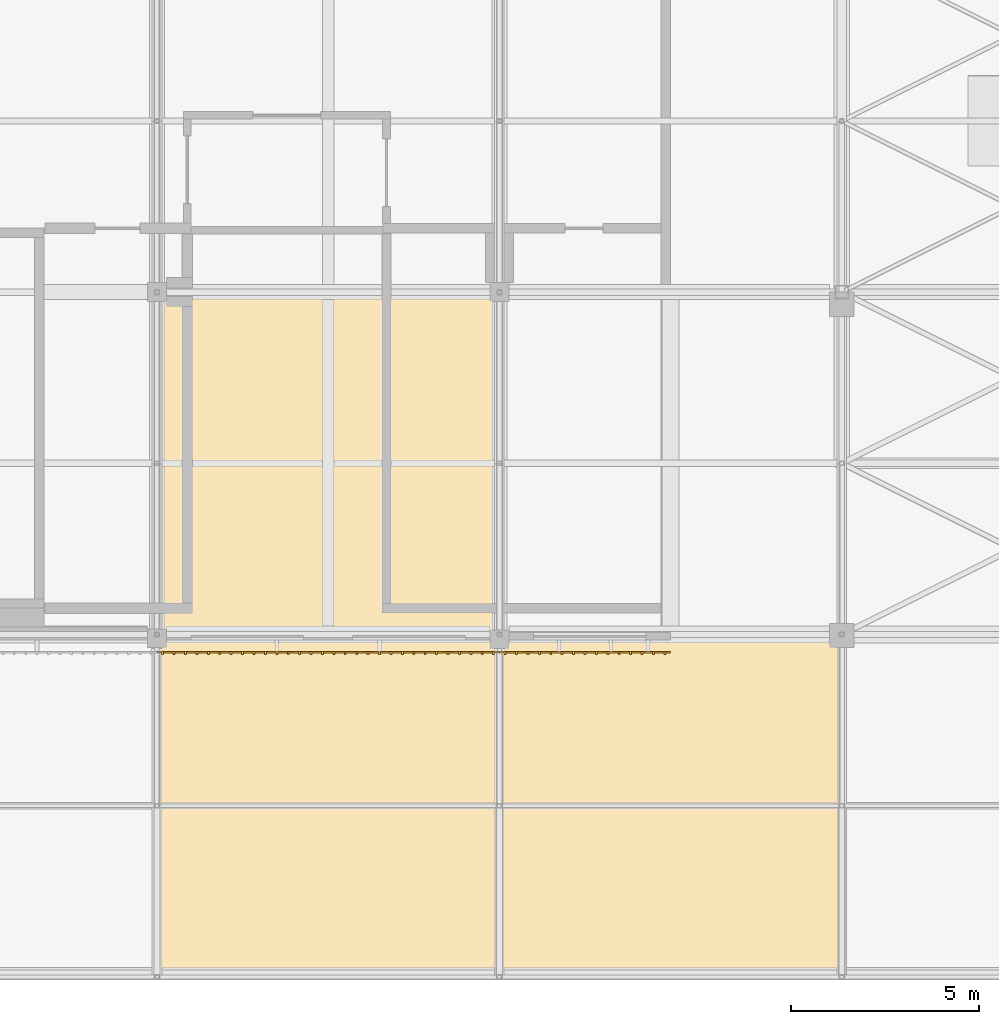
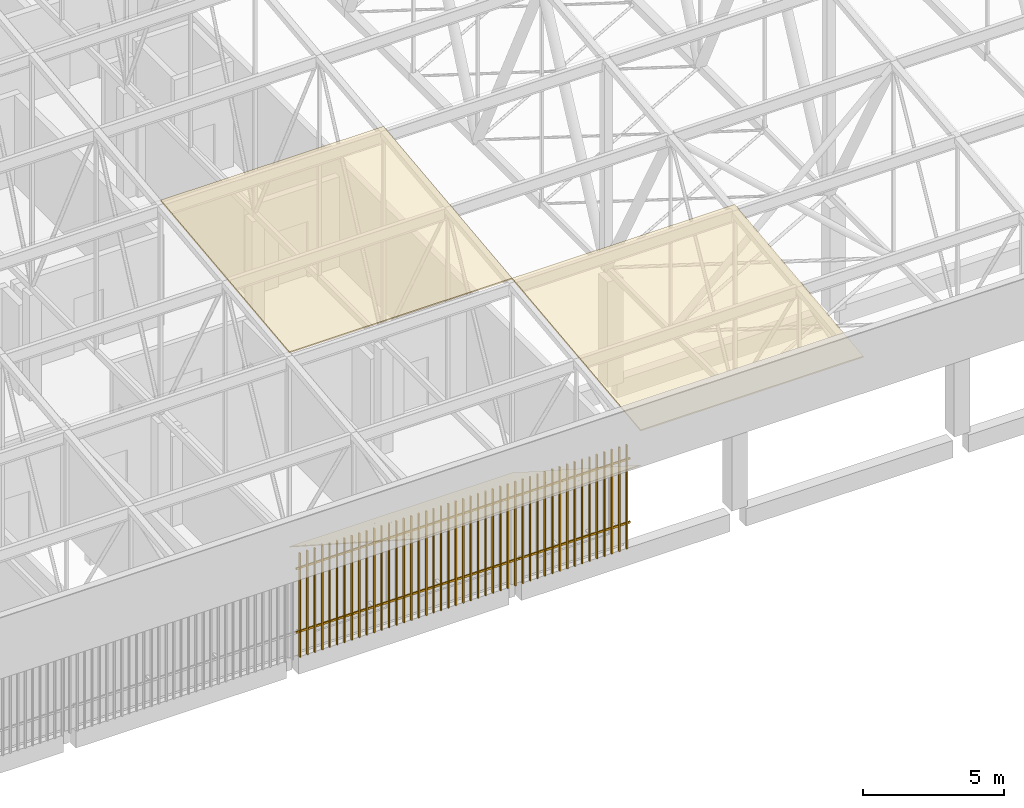
# One storey, part 460 of 500: 3 coverings, 2 shading devices.
"""IFC4 building model written with IfcOpenShell, lengths in metres."""

from ifc_helpers import new_model, si_unit, direction, frame, origin, origin_2d, place, context, subcontext, project, spatial, polyline, rectangle, outline, extrude, material, layer, layer_set, type_object, element, save


model = new_model("IFC4")

# Units and contexts
model_context = context("Model", 3, precision=1e-05, world=origin(), true_north=direction((0.0, 1.0)))
body_context = subcontext(model_context, "Body", "Model", "MODEL_VIEW")
ifc_project = project(units=[si_unit("LENGTHUNIT", "METRE"), si_unit("AREAUNIT", "SQUARE_METRE"), si_unit("VOLUMEUNIT", "CUBIC_METRE"), si_unit("PLANEANGLEUNIT", "RADIAN"), si_unit("MASSUNIT", "GRAM", prefix="KILO")], contexts=[model_context])

# Site, building, storey
site_placement = place(None, origin())
site = spatial("IfcSite", under=ifc_project, at=site_placement, CompositionType="ELEMENT")
building_placement = place(site_placement, origin())
building = spatial("IfcBuilding", under=site, at=building_placement, Name="Shirokan Park Arena", CompositionType="ELEMENT")
storey_placement = place(building_placement, frame((0.0, 0.0, 29.1201171875)))
storey = spatial("IfcBuildingStorey", under=building, at=storey_placement, Name="L06", CompositionType="ELEMENT", Elevation=29.1201171875)

# Coverings
ifc_material_1 = material(Name="Bituminous roofing membrane")
ifc_layer_1 = layer(ifc_material_1, 0.010009765625, Name="Bituminous roofing membrane")
ifc_material_2 = material(Name="Mineral wool insulation")
ifc_layer_2 = layer(ifc_material_2, 0.050048828125, Name="Mineral wool insulation")
ifc_layer_set_1 = layer_set([ifc_layer_1, ifc_layer_2], Name="Bituminous roofing membrane + Mineral wool insulation")
covering_type_1 = type_object("IfcCoveringType", Name="Roofing membrane 60", PredefinedType="ROOFING", material=ifc_layer_set_1)
covering_1_placement = place(storey_placement, frame((27.300048828125, 0.0, 12.9306640625), z_axis=(0.0, -0.113549598152, 0.993532328996), x_axis=(1.0, 0.0, 0.0)))
element("IfcCovering", 1, at=covering_1_placement, inside=storey, type_object=covering_type_1, Name="Roofing", PredefinedType="ROOFING", context=body_context, shape_type="SweptSolid", body=[
    extrude(outline(polyline([(0.0, 0.0), (9.099853515625, 0.0), (9.099853515625, 9.15933723611117), (0.0, 9.15933723611117), (0.0, 0.0)])), origin(), (0.0, 0.0, -1.0), 0.06005859375),
])
covering_2_placement = place(storey_placement, frame((36.39990234375, -9.10009765625, 11.890625), z_axis=(0.0, -0.113549598152, 0.993532328996), x_axis=(1.0, 0.0, 0.0)))
element("IfcCovering", 2, at=covering_2_placement, inside=storey, type_object=covering_type_1, Name="Roofing", PredefinedType="ROOFING", context=body_context, shape_type="SweptSolid", body=[
    extrude(outline(polyline([(0.0, 0.0), (9.10009765625, 0.0), (9.10009765625, 9.15933723611117), (0.0, 9.15933723611117), (0.0, 0.0)])), origin(), (0.0, 0.0, -1.0), 0.06005859375),
])
ifc_material_3 = material(Name="Timber soffit boards (cedar)", Category="wood")
ifc_layer_3 = layer(ifc_material_3, 0.030029296875)
ifc_layer_set_2 = layer_set([ifc_layer_3], Name="Timber soffit boards (cedar) 30 mm")
covering_type_2 = type_object("IfcCoveringType", Name="Timber boarded soffit panel", PredefinedType="CLADDING", material=ifc_layer_set_2)
covering_3_placement = place(storey_placement, origin())
element("IfcCovering", 3, at=covering_3_placement, inside=storey, type_object=covering_type_2, Name="Eave soffit south bay 4", PredefinedType="CLADDING", context=body_context, shape_type="SweptSolid", body=[
    extrude(outline(polyline([(0.0, 0.0), (0.14269332184794056, 0.0), (0.14269332184794056, -9.099999999999998), (0.0, -9.099999999999998), (0.0, 0.0)])), frame((36.39990234375, -8.97998046875, 10.3037109375), z_axis=(0.0, 0.541090493936, 0.840964373426), x_axis=(0.0, -0.840964373426, 0.541090493936)), (0.0, 0.0, -1.0), 0.030029296875),
    extrude(outline(polyline([(0.0, 0.0), (0.1426933218479412, 0.0), (0.1426933218479412, -9.099999999999998), (0.0, -9.099999999999998), (0.0, 0.0)])), frame((27.300048828125, -0.1201171875, 4.60302734375), z_axis=(0.0, 0.541090493936, 0.840964373427), x_axis=(0.0, 0.840964373427, -0.541090493936)), (0.0, 0.0, -1.0), 0.030029296875),
    extrude(outline(polyline([(0.0, 0.0), (0.11999999999999744, 0.0), (0.11999999999999744, -10.535473996759706), (0.0, -10.535473996759706), (0.0, 0.0)])), frame((36.39990234375, -8.97998046875, 10.3037109375), z_axis=(0.0, 0.541084340558, 0.84096833258), x_axis=(-1.0, 0.0, 0.0)), (0.0, 0.0, -1.0), 0.030029296875),
    extrude(outline(polyline([(0.0, 0.0), (0.120000000000001, 0.0), (0.120000000000001, -10.535473996759707), (0.0, -10.535473996759707), (0.0, 0.0)])), frame((27.300048828125, -0.1201171875, 4.60302734375), z_axis=(0.0, 0.541084340558, 0.84096833258), x_axis=(1.0, 0.0, 0.0)), (0.0, 0.0, -1.0), 0.030029296875),
    extrude(outline(polyline([(0.0, 0.0), (10.535473996759707, 0.0), (10.535473996759707, -0.183329999999998), (0.0, -0.183329999999998), (0.0, 0.0)])), frame((27.419921875, -8.97998046875, 10.3037109375), z_axis=(0.0, 0.541084340558, 0.84096833258), x_axis=(0.0, 0.84096833258, -0.541084340558)), (0.0, 0.0, -1.0), 0.030029296875),
    extrude(outline(polyline([(0.0, 0.0), (10.535473996759707, 0.0), (10.535473996759707, -0.3033399999999986), (0.0, -0.3033399999999986), (0.0, 0.0)])), frame((27.603271484375, -8.97998046875, 10.3037109375), z_axis=(0.0, 0.541084340558, 0.84096833258), x_axis=(0.0, 0.84096833258, -0.541084340558)), (0.0, 0.0, -1.0), 0.030029296875),
    extrude(outline(polyline([(0.0, 0.0), (10.535473996759707, 0.0), (10.535473996759707, -0.30333000000000254), (0.0, -0.30333000000000254), (0.0, 0.0)])), frame((27.90673828125, -8.97998046875, 10.3037109375), z_axis=(0.0, 0.541084340558, 0.84096833258), x_axis=(0.0, 0.84096833258, -0.541084340558)), (0.0, 0.0, -1.0), 0.030029296875),
    extrude(outline(polyline([(0.0, 0.0), (10.535473996759707, 0.0), (10.535473996759707, -0.303329999999999), (0.0, -0.303329999999999), (0.0, 0.0)])), frame((28.2099609375, -8.97998046875, 10.3037109375), z_axis=(0.0, 0.541084340558, 0.84096833258), x_axis=(0.0, 0.84096833258, -0.541084340558)), (0.0, 0.0, -1.0), 0.030029296875),
    extrude(outline(polyline([(0.0, 0.0), (10.535473996759707, 0.0), (10.535473996759707, -0.3033399999999986), (0.0, -0.3033399999999986), (0.0, 0.0)])), frame((28.513427734375, -8.97998046875, 10.3037109375), z_axis=(0.0, 0.541084340558, 0.84096833258), x_axis=(0.0, 0.84096833258, -0.541084340558)), (0.0, 0.0, -1.0), 0.030029296875),
    extrude(outline(polyline([(0.0, 0.0), (10.535473996759707, 0.0), (10.535473996759707, -0.30333000000000254), (0.0, -0.30333000000000254), (0.0, 0.0)])), frame((28.816650390625, -8.97998046875, 10.3037109375), z_axis=(0.0, 0.541084340558, 0.84096833258), x_axis=(0.0, 0.84096833258, -0.541084340558)), (0.0, 0.0, -1.0), 0.030029296875),
    extrude(outline(polyline([(0.0, 0.0), (10.535473996759707, 0.0), (10.535473996759707, -0.303329999999999), (0.0, -0.303329999999999), (0.0, 0.0)])), frame((29.1201171875, -8.97998046875, 10.3037109375), z_axis=(0.0, 0.541084340558, 0.84096833258), x_axis=(0.0, 0.84096833258, -0.541084340558)), (0.0, 0.0, -1.0), 0.030029296875),
    extrude(outline(polyline([(0.0, 0.0), (10.535473996759707, 0.0), (10.535473996759707, -0.3033399999999986), (0.0, -0.3033399999999986), (0.0, 0.0)])), frame((29.42333984375, -8.97998046875, 10.3037109375), z_axis=(0.0, 0.541084340558, 0.84096833258), x_axis=(0.0, 0.84096833258, -0.541084340558)), (0.0, 0.0, -1.0), 0.030029296875),
    extrude(outline(polyline([(0.0, 0.0), (10.535473996759707, 0.0), (10.535473996759707, -0.30333000000000254), (0.0, -0.30333000000000254), (0.0, 0.0)])), frame((29.7265625, -8.97998046875, 10.3037109375), z_axis=(0.0, 0.541084340558, 0.84096833258), x_axis=(0.0, 0.84096833258, -0.541084340558)), (0.0, 0.0, -1.0), 0.030029296875),
    extrude(outline(polyline([(0.0, 0.0), (10.535473996759707, 0.0), (10.535473996759707, -0.303329999999999), (0.0, -0.303329999999999), (0.0, 0.0)])), frame((30.030029296875, -8.97998046875, 10.3037109375), z_axis=(0.0, 0.541084340558, 0.84096833258), x_axis=(0.0, 0.84096833258, -0.541084340558)), (0.0, 0.0, -1.0), 0.030029296875),
    extrude(outline(polyline([(0.0, 0.0), (10.535473996759707, 0.0), (10.535473996759707, -0.3033399999999986), (0.0, -0.3033399999999986), (0.0, 0.0)])), frame((30.333251953125, -8.97998046875, 10.3037109375), z_axis=(0.0, 0.541084340558, 0.84096833258), x_axis=(0.0, 0.84096833258, -0.541084340558)), (0.0, 0.0, -1.0), 0.030029296875),
    extrude(outline(polyline([(0.0, 0.0), (10.535473996759707, 0.0), (10.535473996759707, -0.30333000000000254), (0.0, -0.30333000000000254), (0.0, 0.0)])), frame((30.63671875, -8.97998046875, 10.3037109375), z_axis=(0.0, 0.541084340558, 0.84096833258), x_axis=(0.0, 0.84096833258, -0.541084340558)), (0.0, 0.0, -1.0), 0.030029296875),
    extrude(outline(polyline([(0.0, 0.0), (10.535473996759707, 0.0), (10.535473996759707, -0.303329999999999), (0.0, -0.303329999999999), (0.0, 0.0)])), frame((30.93994140625, -8.97998046875, 10.3037109375), z_axis=(0.0, 0.541084340558, 0.84096833258), x_axis=(0.0, 0.84096833258, -0.541084340558)), (0.0, 0.0, -1.0), 0.030029296875),
    extrude(outline(polyline([(0.0, 0.0), (10.535473996759707, 0.0), (10.535473996759707, -0.3033399999999986), (0.0, -0.3033399999999986), (0.0, 0.0)])), frame((31.243408203125, -8.97998046875, 10.3037109375), z_axis=(0.0, 0.541084340558, 0.84096833258), x_axis=(0.0, 0.84096833258, -0.541084340558)), (0.0, 0.0, -1.0), 0.030029296875),
    extrude(outline(polyline([(0.0, 0.0), (10.535473996759707, 0.0), (10.535473996759707, -0.30333000000000254), (0.0, -0.30333000000000254), (0.0, 0.0)])), frame((31.546630859375, -8.97998046875, 10.3037109375), z_axis=(0.0, 0.541084340558, 0.84096833258), x_axis=(0.0, 0.84096833258, -0.541084340558)), (0.0, 0.0, -1.0), 0.030029296875),
    extrude(outline(polyline([(0.0, 0.0), (10.535473996759707, 0.0), (10.535473996759707, -0.30332999999999544), (0.0, -0.30332999999999544), (0.0, 0.0)])), frame((31.85009765625, -8.97998046875, 10.3037109375), z_axis=(0.0, 0.541084340558, 0.84096833258), x_axis=(0.0, 0.84096833258, -0.541084340558)), (0.0, 0.0, -1.0), 0.030029296875),
    extrude(outline(polyline([(0.0, 0.0), (10.535473996759707, 0.0), (10.535473996759707, -0.3033400000000057), (0.0, -0.3033400000000057), (0.0, 0.0)])), frame((32.1533203125, -8.97998046875, 10.3037109375), z_axis=(0.0, 0.541084340558, 0.84096833258), x_axis=(0.0, 0.84096833258, -0.541084340558)), (0.0, 0.0, -1.0), 0.030029296875),
    extrude(outline(polyline([(0.0, 0.0), (10.535473996759707, 0.0), (10.535473996759707, -0.30332999999999544), (0.0, -0.30332999999999544), (0.0, 0.0)])), frame((32.456787109375, -8.97998046875, 10.3037109375), z_axis=(0.0, 0.541084340558, 0.84096833258), x_axis=(0.0, 0.84096833258, -0.541084340558)), (0.0, 0.0, -1.0), 0.030029296875),
    extrude(outline(polyline([(0.0, 0.0), (10.535473996759707, 0.0), (10.535473996759707, -0.30333000000000254), (0.0, -0.30333000000000254), (0.0, 0.0)])), frame((32.760009765625, -8.97998046875, 10.3037109375), z_axis=(0.0, 0.541084340558, 0.84096833258), x_axis=(0.0, 0.84096833258, -0.541084340558)), (0.0, 0.0, -1.0), 0.030029296875),
    extrude(outline(polyline([(0.0, 0.0), (10.535473996759707, 0.0), (10.535473996759707, -0.3033399999999986), (0.0, -0.3033399999999986), (0.0, 0.0)])), frame((33.063232421875, -8.97998046875, 10.3037109375), z_axis=(0.0, 0.541084340558, 0.84096833258), x_axis=(0.0, 0.84096833258, -0.541084340558)), (0.0, 0.0, -1.0), 0.030029296875),
    extrude(outline(polyline([(0.0, 0.0), (10.535473996759707, 0.0), (10.535473996759707, -0.30333000000000254), (0.0, -0.30333000000000254), (0.0, 0.0)])), frame((33.36669921875, -8.97998046875, 10.3037109375), z_axis=(0.0, 0.541084340558, 0.84096833258), x_axis=(0.0, 0.84096833258, -0.541084340558)), (0.0, 0.0, -1.0), 0.030029296875),
    extrude(outline(polyline([(0.0, 0.0), (10.535473996759707, 0.0), (10.535473996759707, -0.30332999999999544), (0.0, -0.30332999999999544), (0.0, 0.0)])), frame((33.669921875, -8.97998046875, 10.3037109375), z_axis=(0.0, 0.541084340558, 0.84096833258), x_axis=(0.0, 0.84096833258, -0.541084340558)), (0.0, 0.0, -1.0), 0.030029296875),
    extrude(outline(polyline([(0.0, 0.0), (10.535473996759707, 0.0), (10.535473996759707, -0.3033400000000057), (0.0, -0.3033400000000057), (0.0, 0.0)])), frame((33.973388671875, -8.97998046875, 10.3037109375), z_axis=(0.0, 0.541084340558, 0.84096833258), x_axis=(0.0, 0.84096833258, -0.541084340558)), (0.0, 0.0, -1.0), 0.030029296875),
    extrude(outline(polyline([(0.0, 0.0), (10.535473996759707, 0.0), (10.535473996759707, -0.30332999999999544), (0.0, -0.30332999999999544), (0.0, 0.0)])), frame((34.276611328125, -8.97998046875, 10.3037109375), z_axis=(0.0, 0.541084340558, 0.84096833258), x_axis=(0.0, 0.84096833258, -0.541084340558)), (0.0, 0.0, -1.0), 0.030029296875),
    extrude(outline(polyline([(0.0, 0.0), (10.535473996759707, 0.0), (10.535473996759707, -0.30333000000000254), (0.0, -0.30333000000000254), (0.0, 0.0)])), frame((34.580078125, -8.97998046875, 10.3037109375), z_axis=(0.0, 0.541084340558, 0.84096833258), x_axis=(0.0, 0.84096833258, -0.541084340558)), (0.0, 0.0, -1.0), 0.030029296875),
    extrude(outline(polyline([(0.0, 0.0), (10.535473996759707, 0.0), (10.535473996759707, -0.3033399999999986), (0.0, -0.3033399999999986), (0.0, 0.0)])), frame((34.88330078125, -8.97998046875, 10.3037109375), z_axis=(0.0, 0.541084340558, 0.84096833258), x_axis=(0.0, 0.84096833258, -0.541084340558)), (0.0, 0.0, -1.0), 0.030029296875),
    extrude(outline(polyline([(0.0, 0.0), (10.535473996759707, 0.0), (10.535473996759707, -0.30333000000000254), (0.0, -0.30333000000000254), (0.0, 0.0)])), frame((35.186767578125, -8.97998046875, 10.3037109375), z_axis=(0.0, 0.541084340558, 0.84096833258), x_axis=(0.0, 0.84096833258, -0.541084340558)), (0.0, 0.0, -1.0), 0.030029296875),
    extrude(outline(polyline([(0.0, 0.0), (10.535473996759707, 0.0), (10.535473996759707, -0.30332999999999544), (0.0, -0.30332999999999544), (0.0, 0.0)])), frame((35.489990234375, -8.97998046875, 10.3037109375), z_axis=(0.0, 0.541084340558, 0.84096833258), x_axis=(0.0, 0.84096833258, -0.541084340558)), (0.0, 0.0, -1.0), 0.030029296875),
    extrude(outline(polyline([(0.0, 0.0), (10.535473996759707, 0.0), (10.535473996759707, -0.3033400000000057), (0.0, -0.3033400000000057), (0.0, 0.0)])), frame((35.793212890625, -8.97998046875, 10.3037109375), z_axis=(0.0, 0.541084340558, 0.84096833258), x_axis=(0.0, 0.84096833258, -0.541084340558)), (0.0, 0.0, -1.0), 0.030029296875),
    extrude(outline(polyline([(0.0, 0.0), (10.535473996759707, 0.0), (10.535473996759707, -0.183329999999998), (0.0, -0.183329999999998), (0.0, 0.0)])), frame((36.0966796875, -8.97998046875, 10.3037109375), z_axis=(0.0, 0.541084340558, 0.84096833258), x_axis=(0.0, 0.84096833258, -0.541084340558)), (0.0, 0.0, -1.0), 0.030029296875),
])

# Shading devices
ifc_material_4 = material(Name="Timber louvre veil (cedar)", Category="wood")
shading_device_type = type_object("IfcShadingDeviceType", Name="Timber louvre veil panel", PredefinedType="JALOUSIE", material=ifc_material_4)
shading_device_1_placement = place(storey_placement, origin())
element("IfcShadingDevice", 4, at=shading_device_1_placement, inside=storey, type_object=shading_device_type, Name="Timber louvre veil south bay 4 L06", PredefinedType="JALOUSIE", context=body_context, shape_type="SweptSolid", body=[
    extrude(rectangle(XDim=0.050048828125, YDim=0.080078125, at=origin_2d()), frame((27.45166015625, -0.485107421875, 0.0), z_axis=(0.0, 0.0, 1.0), x_axis=(1.0, 0.0, 0.0)), (0.0, 0.0, 1.0), 4.5),
    extrude(rectangle(XDim=0.050048828125, YDim=0.080078125, at=origin_2d()), frame((27.7548828125, -0.485107421875, 0.0), z_axis=(0.0, 0.0, 1.0), x_axis=(1.0, 0.0, 0.0)), (0.0, 0.0, 1.0), 4.5),
    extrude(rectangle(XDim=0.050048828125, YDim=0.080078125, at=origin_2d()), frame((28.058349609375, -0.485107421875, 0.0), z_axis=(0.0, 0.0, 1.0), x_axis=(1.0, 0.0, 0.0)), (0.0, 0.0, 1.0), 4.5),
    extrude(rectangle(XDim=0.050048828125, YDim=0.080078125, at=origin_2d()), frame((28.361572265625, -0.485107421875, 0.0), z_axis=(0.0, 0.0, 1.0), x_axis=(1.0, 0.0, 0.0)), (0.0, 0.0, 1.0), 4.5),
    extrude(rectangle(XDim=0.050048828125, YDim=0.080078125, at=origin_2d()), frame((28.6650390625, -0.485107421875, 0.0), z_axis=(0.0, 0.0, 1.0), x_axis=(1.0, 0.0, 0.0)), (0.0, 0.0, 1.0), 4.5),
    extrude(rectangle(XDim=0.050048828125, YDim=0.080078125, at=origin_2d()), frame((28.96826171875, -0.485107421875, 0.0), z_axis=(0.0, 0.0, 1.0), x_axis=(1.0, 0.0, 0.0)), (0.0, 0.0, 1.0), 4.5),
    extrude(rectangle(XDim=0.050048828125, YDim=0.080078125, at=origin_2d()), frame((29.271728515625, -0.485107421875, 0.0), z_axis=(0.0, 0.0, 1.0), x_axis=(1.0, 0.0, 0.0)), (0.0, 0.0, 1.0), 4.5),
    extrude(rectangle(XDim=0.050048828125, YDim=0.080078125, at=origin_2d()), frame((29.574951171875, -0.485107421875, 0.0), z_axis=(0.0, 0.0, 1.0), x_axis=(1.0, 0.0, 0.0)), (0.0, 0.0, 1.0), 4.5),
    extrude(rectangle(XDim=0.050048828125, YDim=0.080078125, at=origin_2d()), frame((29.87841796875, -0.485107421875, 0.0), z_axis=(0.0, 0.0, 1.0), x_axis=(1.0, 0.0, 0.0)), (0.0, 0.0, 1.0), 4.5),
    extrude(rectangle(XDim=0.050048828125, YDim=0.080078125, at=origin_2d()), frame((30.181640625, -0.485107421875, 0.0), z_axis=(0.0, 0.0, 1.0), x_axis=(1.0, 0.0, 0.0)), (0.0, 0.0, 1.0), 4.5),
    extrude(rectangle(XDim=0.050048828125, YDim=0.080078125, at=origin_2d()), frame((30.485107421875, -0.485107421875, 0.0), z_axis=(0.0, 0.0, 1.0), x_axis=(1.0, 0.0, 0.0)), (0.0, 0.0, 1.0), 4.5),
    extrude(rectangle(XDim=0.050048828125, YDim=0.080078125, at=origin_2d()), frame((30.788330078125, -0.485107421875, 0.0), z_axis=(0.0, 0.0, 1.0), x_axis=(1.0, 0.0, 0.0)), (0.0, 0.0, 1.0), 4.5),
    extrude(rectangle(XDim=0.050048828125, YDim=0.080078125, at=origin_2d()), frame((31.091552734375, -0.485107421875, 0.0), z_axis=(0.0, 0.0, 1.0), x_axis=(1.0, 0.0, 0.0)), (0.0, 0.0, 1.0), 4.5),
    extrude(rectangle(XDim=0.050048828125, YDim=0.080078125, at=origin_2d()), frame((31.39501953125, -0.485107421875, 0.0), z_axis=(0.0, 0.0, 1.0), x_axis=(1.0, 0.0, 0.0)), (0.0, 0.0, 1.0), 4.5),
    extrude(rectangle(XDim=0.050048828125, YDim=0.080078125, at=origin_2d()), frame((31.6982421875, -0.485107421875, 0.0), z_axis=(0.0, 0.0, 1.0), x_axis=(1.0, 0.0, 0.0)), (0.0, 0.0, 1.0), 4.5),
    extrude(rectangle(XDim=0.050048828125, YDim=0.080078125, at=origin_2d()), frame((32.001708984375, -0.485107421875, 0.0), z_axis=(0.0, 0.0, 1.0), x_axis=(1.0, 0.0, 0.0)), (0.0, 0.0, 1.0), 4.5),
    extrude(rectangle(XDim=0.050048828125, YDim=0.080078125, at=origin_2d()), frame((32.304931640625, -0.485107421875, 0.0), z_axis=(0.0, 0.0, 1.0), x_axis=(1.0, 0.0, 0.0)), (0.0, 0.0, 1.0), 4.5),
    extrude(rectangle(XDim=0.050048828125, YDim=0.080078125, at=origin_2d()), frame((32.6083984375, -0.485107421875, 0.0), z_axis=(0.0, 0.0, 1.0), x_axis=(1.0, 0.0, 0.0)), (0.0, 0.0, 1.0), 4.5),
    extrude(rectangle(XDim=0.050048828125, YDim=0.080078125, at=origin_2d()), frame((32.91162109375, -0.485107421875, 0.0), z_axis=(0.0, 0.0, 1.0), x_axis=(1.0, 0.0, 0.0)), (0.0, 0.0, 1.0), 4.5),
    extrude(rectangle(XDim=0.050048828125, YDim=0.080078125, at=origin_2d()), frame((33.215087890625, -0.485107421875, 0.0), z_axis=(0.0, 0.0, 1.0), x_axis=(1.0, 0.0, 0.0)), (0.0, 0.0, 1.0), 4.5),
    extrude(rectangle(XDim=0.050048828125, YDim=0.080078125, at=origin_2d()), frame((33.518310546875, -0.485107421875, 0.0), z_axis=(0.0, 0.0, 1.0), x_axis=(1.0, 0.0, 0.0)), (0.0, 0.0, 1.0), 4.5),
    extrude(rectangle(XDim=0.050048828125, YDim=0.080078125, at=origin_2d()), frame((33.82177734375, -0.485107421875, 0.0), z_axis=(0.0, 0.0, 1.0), x_axis=(1.0, 0.0, 0.0)), (0.0, 0.0, 1.0), 4.5),
    extrude(rectangle(XDim=0.050048828125, YDim=0.080078125, at=origin_2d()), frame((34.125, -0.485107421875, 0.0), z_axis=(0.0, 0.0, 1.0), x_axis=(1.0, 0.0, 0.0)), (0.0, 0.0, 1.0), 4.5),
    extrude(rectangle(XDim=0.050048828125, YDim=0.080078125, at=origin_2d()), frame((34.42822265625, -0.485107421875, 0.0), z_axis=(0.0, 0.0, 1.0), x_axis=(1.0, 0.0, 0.0)), (0.0, 0.0, 1.0), 4.5),
    extrude(rectangle(XDim=0.050048828125, YDim=0.080078125, at=origin_2d()), frame((34.731689453125, -0.485107421875, 0.0), z_axis=(0.0, 0.0, 1.0), x_axis=(1.0, 0.0, 0.0)), (0.0, 0.0, 1.0), 4.5),
    extrude(rectangle(XDim=0.050048828125, YDim=0.080078125, at=origin_2d()), frame((35.034912109375, -0.485107421875, 0.0), z_axis=(0.0, 0.0, 1.0), x_axis=(1.0, 0.0, 0.0)), (0.0, 0.0, 1.0), 4.5),
    extrude(rectangle(XDim=0.050048828125, YDim=0.080078125, at=origin_2d()), frame((35.33837890625, -0.485107421875, 0.0), z_axis=(0.0, 0.0, 1.0), x_axis=(1.0, 0.0, 0.0)), (0.0, 0.0, 1.0), 4.5),
    extrude(rectangle(XDim=0.050048828125, YDim=0.080078125, at=origin_2d()), frame((35.6416015625, -0.485107421875, 0.0), z_axis=(0.0, 0.0, 1.0), x_axis=(1.0, 0.0, 0.0)), (0.0, 0.0, 1.0), 4.5),
    extrude(rectangle(XDim=0.050048828125, YDim=0.080078125, at=origin_2d()), frame((35.945068359375, -0.485107421875, 0.0), z_axis=(0.0, 0.0, 1.0), x_axis=(1.0, 0.0, 0.0)), (0.0, 0.0, 1.0), 4.5),
    extrude(rectangle(XDim=0.050048828125, YDim=0.080078125, at=origin_2d()), frame((36.248291015625, -0.485107421875, 0.0), z_axis=(0.0, 0.0, 1.0), x_axis=(1.0, 0.0, 0.0)), (0.0, 0.0, 1.0), 4.5),
    extrude(rectangle(XDim=9.10009765625, YDim=0.050048828125, at=origin_2d()), frame((31.85009765625, -0.469970703125, 1.059814453125), z_axis=(0.0, 0.0, 1.0), x_axis=(1.0, 0.0, 0.0)), (0.0, 0.0, 1.0), 0.080078125),
    extrude(rectangle(XDim=9.10009765625, YDim=0.050048828125, at=origin_2d()), frame((31.85009765625, -0.469970703125, 3.809814453125), z_axis=(0.0, 0.0, 1.0), x_axis=(1.0, 0.0, 0.0)), (0.0, 0.0, 1.0), 0.080078125),
])
shading_device_2_placement = place(storey_placement, origin())
element("IfcShadingDevice", 5, at=shading_device_2_placement, inside=storey, type_object=shading_device_type, Name="Timber louvre veil south bay 5 L06", PredefinedType="JALOUSIE", context=body_context, shape_type="SweptSolid", body=[
    extrude(rectangle(XDim=0.050048828125, YDim=0.080078125, at=origin_2d()), frame((36.5517578125, -0.485107421875, 0.0), z_axis=(0.0, 0.0, 1.0), x_axis=(1.0, 0.0, 0.0)), (0.0, 0.0, 1.0), 4.5),
    extrude(rectangle(XDim=0.050048828125, YDim=0.080078125, at=origin_2d()), frame((36.85498046875, -0.485107421875, 0.0), z_axis=(0.0, 0.0, 1.0), x_axis=(1.0, 0.0, 0.0)), (0.0, 0.0, 1.0), 4.5),
    extrude(rectangle(XDim=0.050048828125, YDim=0.080078125, at=origin_2d()), frame((37.158447265625, -0.485107421875, 0.0), z_axis=(0.0, 0.0, 1.0), x_axis=(1.0, 0.0, 0.0)), (0.0, 0.0, 1.0), 4.5),
    extrude(rectangle(XDim=0.050048828125, YDim=0.080078125, at=origin_2d()), frame((37.461669921875, -0.485107421875, 0.0), z_axis=(0.0, 0.0, 1.0), x_axis=(1.0, 0.0, 0.0)), (0.0, 0.0, 1.0), 4.5),
    extrude(rectangle(XDim=0.050048828125, YDim=0.080078125, at=origin_2d()), frame((37.764892578125, -0.485107421875, 0.0), z_axis=(0.0, 0.0, 1.0), x_axis=(1.0, 0.0, 0.0)), (0.0, 0.0, 1.0), 4.5),
    extrude(rectangle(XDim=0.050048828125, YDim=0.080078125, at=origin_2d()), frame((38.068359375, -0.485107421875, 0.0), z_axis=(0.0, 0.0, 1.0), x_axis=(1.0, 0.0, 0.0)), (0.0, 0.0, 1.0), 4.5),
    extrude(rectangle(XDim=0.050048828125, YDim=0.080078125, at=origin_2d()), frame((38.37158203125, -0.485107421875, 0.0), z_axis=(0.0, 0.0, 1.0), x_axis=(1.0, 0.0, 0.0)), (0.0, 0.0, 1.0), 4.5),
    extrude(rectangle(XDim=0.050048828125, YDim=0.080078125, at=origin_2d()), frame((38.675048828125, -0.485107421875, 0.0), z_axis=(0.0, 0.0, 1.0), x_axis=(1.0, 0.0, 0.0)), (0.0, 0.0, 1.0), 4.5),
    extrude(rectangle(XDim=0.050048828125, YDim=0.080078125, at=origin_2d()), frame((38.978271484375, -0.485107421875, 0.0), z_axis=(0.0, 0.0, 1.0), x_axis=(1.0, 0.0, 0.0)), (0.0, 0.0, 1.0), 4.5),
    extrude(rectangle(XDim=0.050048828125, YDim=0.080078125, at=origin_2d()), frame((39.28173828125, -0.485107421875, 0.0), z_axis=(0.0, 0.0, 1.0), x_axis=(1.0, 0.0, 0.0)), (0.0, 0.0, 1.0), 4.5),
    extrude(rectangle(XDim=0.050048828125, YDim=0.080078125, at=origin_2d()), frame((39.5849609375, -0.485107421875, 0.0), z_axis=(0.0, 0.0, 1.0), x_axis=(1.0, 0.0, 0.0)), (0.0, 0.0, 1.0), 4.5),
    extrude(rectangle(XDim=0.050048828125, YDim=0.080078125, at=origin_2d()), frame((39.888427734375, -0.485107421875, 0.0), z_axis=(0.0, 0.0, 1.0), x_axis=(1.0, 0.0, 0.0)), (0.0, 0.0, 1.0), 4.5),
    extrude(rectangle(XDim=0.050048828125, YDim=0.080078125, at=origin_2d()), frame((40.191650390625, -0.485107421875, 0.0), z_axis=(0.0, 0.0, 1.0), x_axis=(1.0, 0.0, 0.0)), (0.0, 0.0, 1.0), 4.5),
    extrude(rectangle(XDim=0.050048828125, YDim=0.080078125, at=origin_2d()), frame((40.4951171875, -0.485107421875, 0.0), z_axis=(0.0, 0.0, 1.0), x_axis=(1.0, 0.0, 0.0)), (0.0, 0.0, 1.0), 4.5),
    extrude(rectangle(XDim=0.050048828125, YDim=0.080078125, at=origin_2d()), frame((40.79833984375, -0.485107421875, 0.0), z_axis=(0.0, 0.0, 1.0), x_axis=(1.0, 0.0, 0.0)), (0.0, 0.0, 1.0), 4.5),
    extrude(rectangle(XDim=4.550048828125, YDim=0.050048828125, at=origin_2d()), frame((38.675048828125, -0.469970703125, 1.059814453125), z_axis=(0.0, 0.0, 1.0), x_axis=(1.0, 0.0, 0.0)), (0.0, 0.0, 1.0), 0.080078125),
    extrude(rectangle(XDim=4.550048828125, YDim=0.050048828125, at=origin_2d()), frame((38.675048828125, -0.469970703125, 3.809814453125), z_axis=(0.0, 0.0, 1.0), x_axis=(1.0, 0.0, 0.0)), (0.0, 0.0, 1.0), 0.080078125),
])

save(model, "model.ifc")
